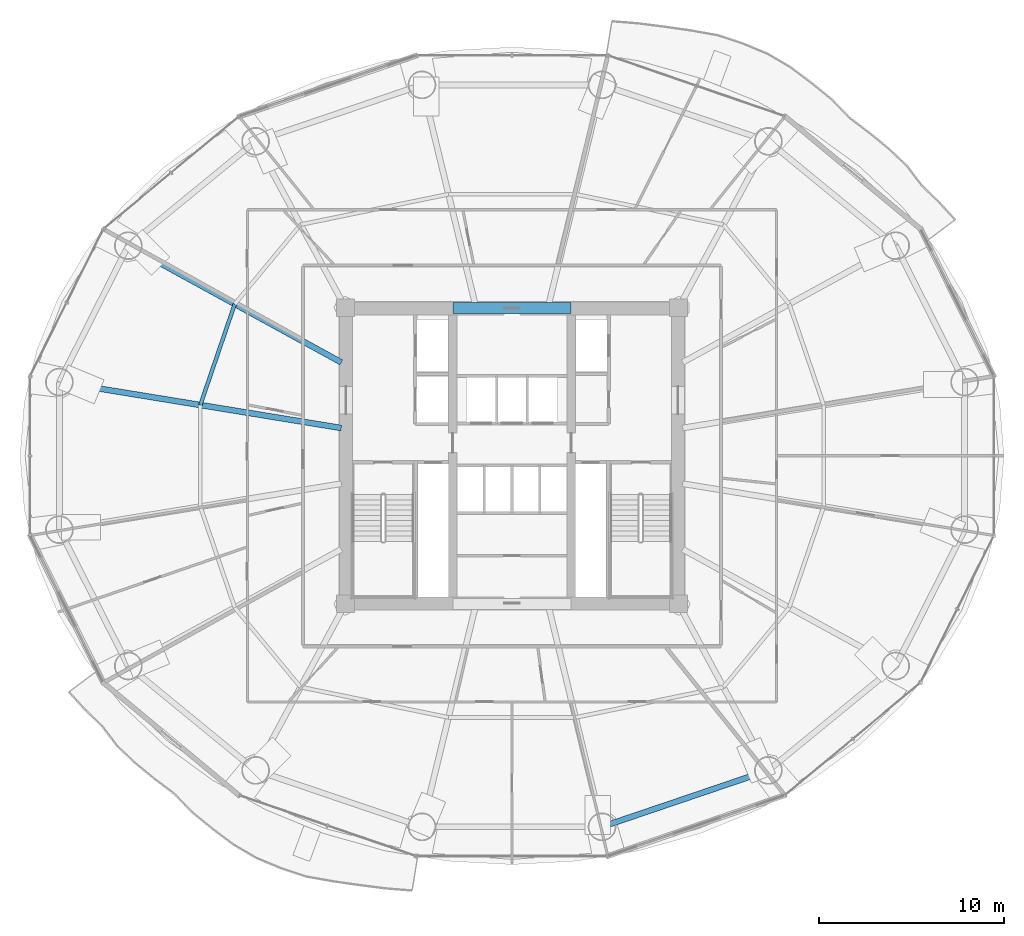
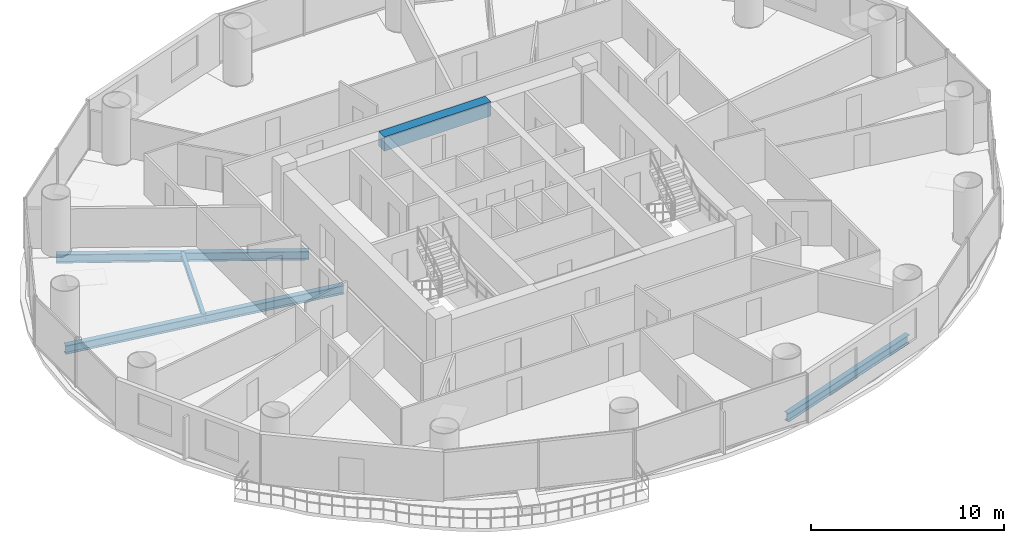
# One storey, part 10 of 29: 5 beams.
"""IFC4 building model written with IfcOpenShell, lengths in metres."""

import ifcopenshell
import ifcopenshell.guid

model = None  # the IFC model being written
_history = None  # IfcOwnerHistory: only IFC2X3 demands one
_inside = {}  # id of a spatial element -> (the spatial element, [elements in it])
_under = {}  # id of a project, library or spatial element -> (it, [spatial elements below it])
_declared = {}  # id of a project -> (the project, [libraries it declares])
_typed = {}  # id of a type object -> (the type object, [elements of that type])
_made_of = {}  # id of a material, layer set ... -> (it, [elements and type objects made of it])


def new_model(schema):
    """Start an empty IFC model of exactly this schema.

    Asked for "IFC4X3", IfcOpenShell would pick the latest addendum, in which some entities
    have other attributes; the version numbers below select the first issue.
    IFC2X3 requires an IfcOwnerHistory on every rooted entity: one is made here for all.
    """
    global model, _history
    if schema == "IFC4X3":
        model = ifcopenshell.file(schema_version=(4, 3, 0, 0))
    else:
        model = ifcopenshell.file(schema=schema)
    _inside.clear()
    _under.clear()
    _declared.clear()
    _typed.clear()
    _made_of.clear()
    _history = None
    if model.schema == "IFC2X3":
        org = make("IfcOrganization", Name="unknown")
        user = make(
            "IfcPersonAndOrganization",
            ThePerson=make("IfcPerson", FamilyName="unknown"),
            TheOrganization=org,
        )
        app = make(
            "IfcApplication",
            ApplicationDeveloper=org,
            Version="unknown",
            ApplicationFullName="unknown",
            ApplicationIdentifier="unknown",
        )
        _history = make(
            "IfcOwnerHistory",
            OwningUser=user,
            OwningApplication=app,
            ChangeAction="ADDED",
            CreationDate=0,
        )
    return model


def make(cls, **values):
    """One entity of the class cls with the attributes given. An attribute that is None is left unset."""
    return model.create_entity(
        cls, **{name: value for name, value in values.items() if value is not None}
    )


def rooted(cls, **values):
    """An entity with a GlobalId (a new one), such as an element, a storey or a relation."""
    return make(cls, GlobalId=ifcopenshell.guid.new(), OwnerHistory=_history, **values)


def si_unit(unit_type, name, prefix=None):
    """IfcSIUnit, for example si_unit("LENGTHUNIT", "METRE", prefix="MILLI")."""
    return make("IfcSIUnit", UnitType=unit_type, Prefix=prefix, Name=name)


def assignment(units):
    """IfcUnitAssignment: the units of a project."""
    return None if units is None else make("IfcUnitAssignment", Units=units)


def point(xyz):
    """IfcCartesianPoint."""
    return None if xyz is None else make("IfcCartesianPoint", Coordinates=xyz)


def direction(xyz):
    """IfcDirection."""
    return None if xyz is None else make("IfcDirection", DirectionRatios=xyz)


def frame(location, z_axis=None, x_axis=None):
    """IfcAxis2Placement3D, a coordinate frame: its origin and axes. An axis left out is left unset."""
    return make(
        "IfcAxis2Placement3D",
        Location=point(location),
        Axis=direction(z_axis),
        RefDirection=direction(x_axis),
    )


def frame_2d(location, x_axis=None):
    """IfcAxis2Placement2D, a coordinate frame in the plane: its origin and x axis."""
    return make(
        "IfcAxis2Placement2D", Location=point(location), RefDirection=direction(x_axis)
    )


def origin():
    """The frame at (0, 0, 0) with its axes left unset."""
    return frame((0.0, 0.0, 0.0))


def origin_2d():
    """The frame at (0, 0) in the plane with its x axis left unset."""
    return frame_2d((0.0, 0.0))


def place(relative_to, where):
    """IfcLocalPlacement: puts the frame where relative to a parent placement (None: the world)."""
    return make(
        "IfcLocalPlacement", PlacementRelTo=relative_to, RelativePlacement=where
    )


def context(
    kind, dimensions, precision=None, world=None, true_north=None, identifier=None
):
    """IfcGeometricRepresentationContext, for example the 3D "Model" context."""
    return make(
        "IfcGeometricRepresentationContext",
        ContextIdentifier=identifier,
        ContextType=kind,
        CoordinateSpaceDimension=dimensions,
        Precision=precision,
        WorldCoordinateSystem=world,
        TrueNorth=true_north,
    )


def subcontext(parent, identifier, kind, view, scale=None):
    """IfcGeometricRepresentationSubContext, for example "Body" below "Model"."""
    return make(
        "IfcGeometricRepresentationSubContext",
        ContextIdentifier=identifier,
        ContextType=kind,
        ParentContext=parent,
        TargetScale=scale,
        TargetView=view,
    )


def project(units=None, contexts=None):
    """IfcProject with its units and contexts."""
    return rooted(
        "IfcProject",
        Name="project",
        RepresentationContexts=contexts,
        UnitsInContext=assignment(units),
    )


def spatial(cls, under=None, at=None, **own):
    """A site, building, storey or space (cls), placed at a placement, below another one or the project."""
    s = rooted(cls, ObjectPlacement=at, **own)
    if under is not None:
        _under.setdefault(under.id(), (under, []))[1].append(s)
    return s


def profile(cls, at=None, kind="AREA", **sizes):
    """A parametric profile (cls). Its sizes go by their IFC names, for example OverallWidth=200.0."""
    return make(cls, ProfileType=kind, Position=at, **sizes)


def rectangle(**sizes):
    """IfcRectangleProfileDef."""
    return profile("IfcRectangleProfileDef", **sizes)


def i_section(**sizes):
    """IfcIShapeProfileDef."""
    return profile("IfcIShapeProfileDef", **sizes)


def extrude(swept, where, along, depth):
    """IfcExtrudedAreaSolid: the profile swept, set in the frame where, extruded along a direction by depth."""
    return make(
        "IfcExtrudedAreaSolid",
        SweptArea=swept,
        Position=where,
        ExtrudedDirection=direction(along),
        Depth=depth,
    )


def shape(context_of_items, identifier, shape_type, items):
    """IfcShapeRepresentation: the items that make up one representation, for example the "Body"."""
    return make(
        "IfcShapeRepresentation",
        ContextOfItems=context_of_items,
        RepresentationIdentifier=identifier,
        RepresentationType=shape_type,
        Items=items,
    )


def material(Name=None, Category=None):
    """IfcMaterial."""
    return make("IfcMaterial", Name=Name, Category=Category)


def material_profile(
    of_material, cross_section, Name=None, Category=None, Priority=None
):
    """IfcMaterialProfile: a cross section and its material."""
    return make(
        "IfcMaterialProfile",
        Name=Name,
        Material=of_material,
        Profile=cross_section,
        Priority=Priority,
        Category=Category,
    )


def profile_set(profiles, Name=None, composite=None):
    """IfcMaterialProfileSet."""
    return make(
        "IfcMaterialProfileSet",
        Name=Name,
        MaterialProfiles=profiles,
        CompositeProfile=composite,
    )


def made_of(thing, what):
    """Note that an element or type object is made of a material, layer set ...; save() writes the relation."""
    if what is not None:
        _made_of.setdefault(what.id(), (what, []))[1].append(thing)
    return thing


def type_object(cls, material=None, **own):
    """A type object (cls), such as IfcWallType, which elements share."""
    return made_of(rooted(cls, **own), material)


def element(
    cls,
    number,
    at=None,
    inside=None,
    cuts=None,
    type_object=None,
    material=None,
    context=None,
    identifier="Body",
    shape_type=None,
    held_by="IfcProductDefinitionShape",
    body=None,
    shapes=None,
    **own,
):
    """One element of the class cls, such as IfcWall. Its Tag is "e" and its number.

    at: its placement. inside: the storey or other place that contains it. cuts: it is an
    opening in that element (IfcRelVoidsElement). A single representation is given by context,
    identifier, shape_type and body (its items); several are given by shapes. held_by: the class
    of the entity that holds the representations. save() writes the other relations.
    """
    e = rooted(cls, Tag="e%d" % number, ObjectPlacement=at, **own)
    if body is not None:
        shapes = [shape(context, identifier, shape_type, body)]
    if shapes is not None:
        e.Representation = make(held_by, Representations=shapes)
    if inside is not None:
        _inside.setdefault(inside.id(), (inside, []))[1].append(e)
    if cuts is not None:
        rooted(
            "IfcRelVoidsElement", RelatingBuildingElement=cuts, RelatedOpeningElement=e
        )
    if type_object is not None:
        _typed.setdefault(type_object.id(), (type_object, []))[1].append(e)
    return made_of(e, material)


def aggregate(whole, parts):
    """IfcRelAggregates: a whole, such as a stair, and the parts it consists of."""
    return rooted("IfcRelAggregates", RelatingObject=whole, RelatedObjects=parts)


def save(model, path):
    """Write the relations noted so far, then the file.

    IfcRelAggregates (storeys below a building ...), IfcRelContainedInSpatialStructure (elements
    in a storey), IfcRelDefinesByType, IfcRelAssociatesMaterial and IfcRelDeclares: one each for
    every whole, place, type object, material and project.
    """
    for whole, parts in _under.values():
        aggregate(whole, parts)
    for where, things in _inside.values():
        rooted(
            "IfcRelContainedInSpatialStructure",
            RelatedElements=things,
            RelatingStructure=where,
        )
    for kind, things in _typed.values():
        rooted("IfcRelDefinesByType", RelatedObjects=things, RelatingType=kind)
    for what, things in _made_of.values():
        rooted("IfcRelAssociatesMaterial", RelatedObjects=things, RelatingMaterial=what)
    for by, libraries in _declared.values():
        rooted("IfcRelDeclares", RelatingContext=by, RelatedDefinitions=libraries)
    model.write(path)


model = new_model("IFC4")

# Units and contexts
model_context = context("Model", 3, precision=1e-05, world=origin(), true_north=direction((-0.2419218956, 0.970295726276)))
body_context = subcontext(model_context, "Body", "Model", "MODEL_VIEW")
ifc_project = project(units=[si_unit("LENGTHUNIT", "METRE"), si_unit("AREAUNIT", "SQUARE_METRE"), si_unit("VOLUMEUNIT", "CUBIC_METRE"), si_unit("PLANEANGLEUNIT", "RADIAN"), si_unit("MASSUNIT", "GRAM", prefix="KILO")], contexts=[model_context])

# Site, building, storey
site_placement = place(None, origin())
site = spatial("IfcSite", under=ifc_project, at=site_placement, CompositionType="ELEMENT")
building_placement = place(site_placement, origin())
building = spatial("IfcBuilding", under=site, at=building_placement, Name="Cobrevalo Terracotta Tower", CompositionType="ELEMENT")
storey_placement = place(building_placement, frame((0.0, 0.0, 126.60009765625)))
storey = spatial("IfcBuildingStorey", under=building, at=storey_placement, Name="L33", CompositionType="ELEMENT", Elevation=126.60009765625)

# Beams
ifc_material_1 = material(Name="Concrete C60", Category="concrete")
ifc_material_profile_1 = material_profile(ifc_material_1, rectangle(XDim=0.60009765625, YDim=0.89990234375, at=origin_2d()), Name="RC CB 600x900")
ifc_profile_set_1 = profile_set([ifc_material_profile_1], Name="Concrete C60")
beam_type_1 = type_object("IfcBeamType", Name="Structural Beam RC CB 600x900 (Concrete C60)", PredefinedType="BEAM", material=ifc_profile_set_1)
beam_1_placement = place(storey_placement, frame((34.800048828125, 34.800048828125, 2.699951171875), z_axis=(1.0, 0.0, 0.0), x_axis=(0.0, 1.0, 0.0)))
element("IfcBeam", 1, at=beam_1_placement, inside=storey, type_object=beam_type_1, Name="L33 core coupling beam 2", PredefinedType="BEAM", context=body_context, shape_type="SweptSolid", body=[
    extrude(rectangle(XDim=0.60009765625, YDim=0.89990234375, at=origin_2d()), origin(), (0.0, 0.0, 1.0), 6.39990234375),
])
ifc_material_2 = material(Name="Steel S355", Category="steel")
ifc_material_profile_2 = material_profile(ifc_material_2, i_section(OverallWidth=0.31201171875, OverallDepth=0.54296875, WebThickness=0.0126953125, FlangeThickness=0.020263671875, at=origin_2d()), Name="W 530x150")
ifc_profile_set_2 = profile_set([ifc_material_profile_2], Name="Steel S355")
beam_type_2 = type_object("IfcBeamType", Name="Structural Beam W 530x150 (Steel S355)", PredefinedType="BEAM", material=ifc_profile_set_2)
beam_2_placement = place(storey_placement, frame((17.2548828125, 38.161376953125, -0.546630859375), z_axis=(0.877080599376, -0.480343233738, 0.0), x_axis=(0.480343233738, 0.877080599376, 0.0)))
element("IfcBeam", 2, at=beam_2_placement, inside=storey, type_object=beam_type_2, Name="L33 radial floor girder 07", PredefinedType="BEAM", context=body_context, shape_type="SweptSolid", body=[
    extrude(i_section(OverallWidth=0.31201171875, OverallDepth=0.54296875, WebThickness=0.0126953125, FlangeThickness=0.020263671875, at=origin_2d()), origin(), (0.0, 0.0, 1.0), 13.12890625),
])
beam_3_placement = place(storey_placement, frame((13.529296875, 30.78955078125, -0.546630859375), z_axis=(0.986970567439, -0.160900898101, 0.0), x_axis=(0.160900898101, 0.986970567439, 0.0)))
element("IfcBeam", 3, at=beam_3_placement, inside=storey, type_object=beam_type_2, Name="L33 radial floor girder 08", PredefinedType="BEAM", context=body_context, shape_type="SweptSolid", body=[
    extrude(i_section(OverallWidth=0.31201171875, OverallDepth=0.54296875, WebThickness=0.0126953125, FlangeThickness=0.020263671875, at=origin_2d()), origin(), (0.0, 0.0, 1.0), 15.44189453125),
])
ifc_material_profile_3 = material_profile(ifc_material_2, i_section(OverallWidth=0.2041015625, OverallDepth=0.305908203125, WebThickness=0.008544921875, FlangeThickness=0.0146484375, at=origin_2d()), Name="W 310x67")
ifc_profile_set_3 = profile_set([ifc_material_profile_3], Name="Steel S355")
beam_type_3 = type_object("IfcBeamType", Name="Structural Joist W 310x67 (Steel S355)", PredefinedType="JOIST", material=ifc_profile_set_3)
beam_4_placement = place(storey_placement, frame((23.012451171875, 35.00830078125, -0.427978515625), z_axis=(-0.322833299398, -0.94645584197, 0.0), x_axis=(0.94645584197, -0.322833299398, 0.0)))
element("IfcBeam", 4, at=beam_4_placement, inside=storey, type_object=beam_type_3, Name="L33 circumferential secondary floor joist 07", PredefinedType="JOIST", context=body_context, shape_type="SweptSolid", body=[
    extrude(i_section(OverallWidth=0.2041015625, OverallDepth=0.305908203125, WebThickness=0.008544921875, FlangeThickness=0.0146484375, at=origin_2d()), origin(), (0.0, 0.0, 1.0), 5.77001953125),
])
ifc_material_profile_4 = material_profile(ifc_material_2, i_section(OverallWidth=0.31201171875, OverallDepth=0.54296875, WebThickness=0.0126953125, FlangeThickness=0.020263671875, at=origin_2d()), Name="W 530x150")
ifc_profile_set_4 = profile_set([ifc_material_profile_4], Name="Steel S355")
beam_type_4 = type_object("IfcBeamType", Name="Structural Spandrel W 530x150 (Steel S355)", PredefinedType="SPANDREL", material=ifc_profile_set_4)
beam_5_placement = place(storey_placement, frame((42.867431640625, 6.742919921875, -0.546630859375), z_axis=(0.94691835344, 0.321474154356, 0.0), x_axis=(-0.321474154356, 0.94691835344, 0.0)))
element("IfcBeam", 5, at=beam_5_placement, inside=storey, type_object=beam_type_4, Name="L33 perimeter ring spandrel 13", PredefinedType="SPANDREL", context=body_context, shape_type="SweptSolid", body=[
    extrude(i_section(OverallWidth=0.31201171875, OverallDepth=0.54296875, WebThickness=0.0126953125, FlangeThickness=0.020263671875, at=origin_2d()), origin(), (0.0, 0.0, 1.0), 9.498291015625),
])

save(model, "model.ifc")
